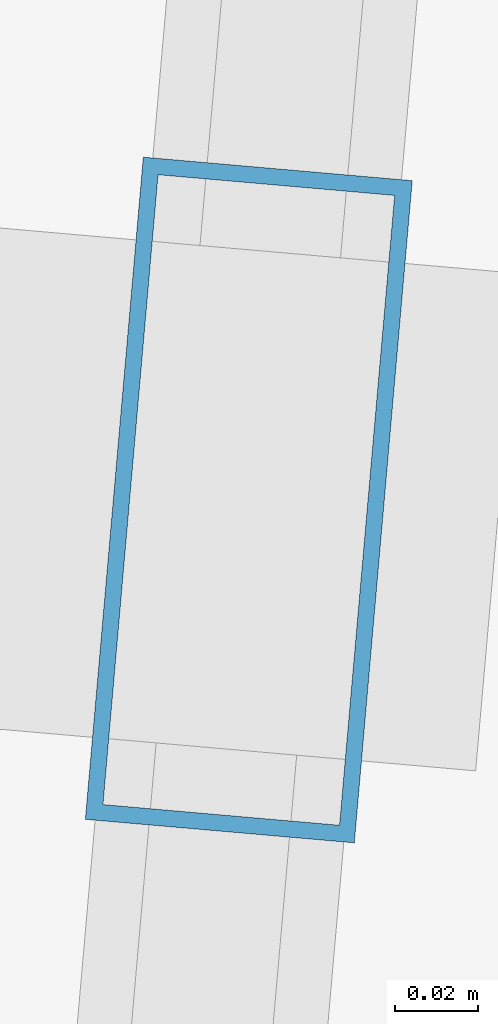
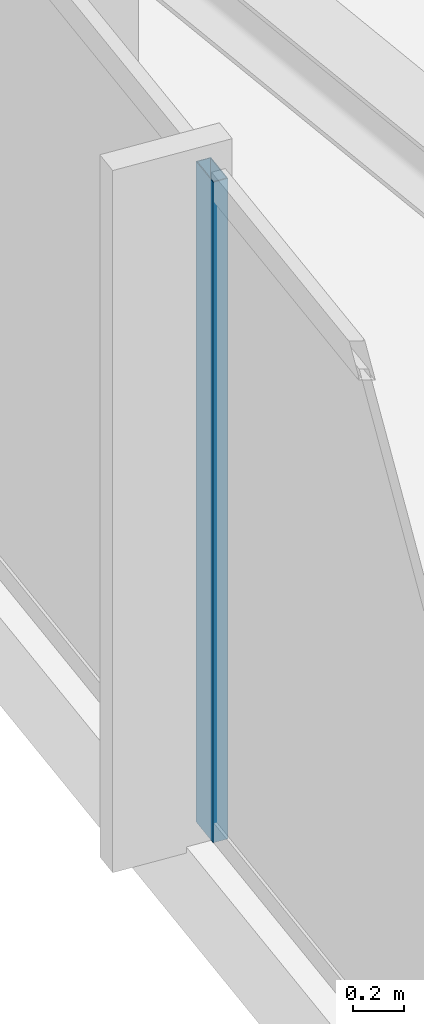
# One storey, part 5 of 32: 1 member, 1 element without a shape of its own.
"""IFC4 building model written with IfcOpenShell, lengths in metres."""

from ifc_helpers import new_model, si_unit, direction, frame, origin, origin_2d, place, context, subcontext, project, spatial, hollow_rectangle, extrude, material, material_profile, profile_set, type_object, element, aggregate, save


model = new_model("IFC4")

# Units and contexts
model_context = context("Model", 3, precision=1e-05, world=origin(), true_north=direction((0.0, 1.0)))
body_context = subcontext(model_context, "Body", "Model", "MODEL_VIEW")
ifc_project = project(units=[si_unit("LENGTHUNIT", "METRE"), si_unit("AREAUNIT", "SQUARE_METRE"), si_unit("VOLUMEUNIT", "CUBIC_METRE"), si_unit("PLANEANGLEUNIT", "RADIAN"), si_unit("MASSUNIT", "GRAM", prefix="KILO")], contexts=[model_context])

# Site, building, storey
site_placement = place(None, origin())
site = spatial("IfcSite", under=ifc_project, at=site_placement, CompositionType="ELEMENT")
building_placement = place(site_placement, origin())
building = spatial("IfcBuilding", under=site, at=building_placement, Name="Yelkora Congress Tower", CompositionType="ELEMENT")
storey_placement = place(building_placement, frame((0.0, 0.0, 259.10009765625)))
storey = spatial("IfcBuildingStorey", under=building, at=storey_placement, Name="L72", CompositionType="ELEMENT", Elevation=259.10009765625)

# Curtain wall, member
ifc_material_1 = material(Name="Anodised aluminium and insulated glass", Category="aluminium")
curtain_wall_type = type_object("IfcCurtainWallType", Name="CW-SYS-B5", PredefinedType="NOTDEFINED", material=ifc_material_1)
curtain_wall_placement = place(storey_placement, origin())
curtain_wall = element("IfcCurtainWall", 1, at=curtain_wall_placement, inside=storey, type_object=curtain_wall_type, Name="L72 Unitised Curtain Wall 5", PredefinedType="NOTDEFINED")
ifc_material_2 = material(Name="Anodised aluminium 6063-T6", Category="aluminium")
ifc_material_profile = material_profile(ifc_material_2, hollow_rectangle(XDim=0.06494140625, YDim=0.159912109375, WallThickness=0.00390625, at=origin_2d()), Name="ALU 65x160x4")
ifc_profile_set = profile_set([ifc_material_profile], Name="Anodised aluminium 6063-T6")
member_type = type_object("IfcMemberType", Name="MEM-ML-B5", PredefinedType="MULLION", material=ifc_profile_set)
member_placement = place(storey_placement, frame((6.313720703125, 28.49658203125, 0.0), z_axis=(0.0, 0.0, 1.0), x_axis=(-0.996194785929, 0.08715473876, 0.0)))
member = element("IfcMember", 2, at=member_placement, type_object=member_type, Name="CW-B5 mullion 2", PredefinedType="MULLION", context=body_context, shape_type="SweptSolid", body=[
    extrude(hollow_rectangle(XDim=0.06494140625, YDim=0.159912109375, WallThickness=0.00390625, at=origin_2d()), origin(), (0.0, 0.0, 1.0), 3.179931640625),
])
aggregate(curtain_wall, [member])

save(model, "model.ifc")
